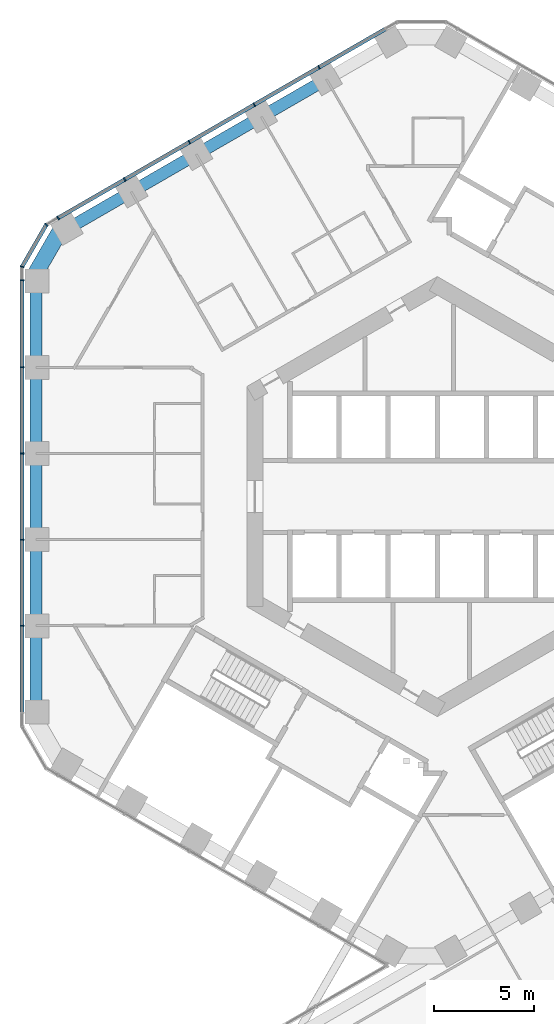
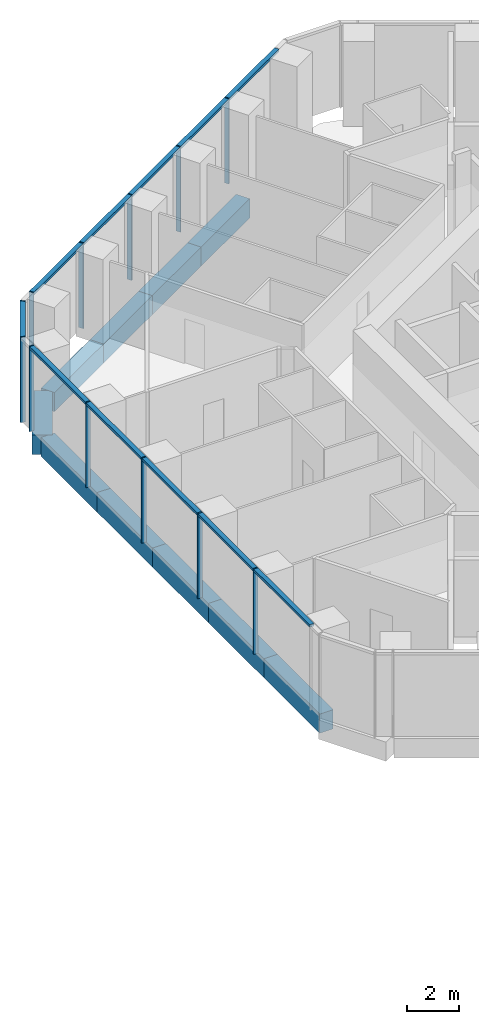
# One storey, part 6 of 27: 15 members, 10 beams, 3 elements without a shape of their own.
"""IFC4 building model written with IfcOpenShell, lengths in metres."""

from ifc_helpers import new_model, si_unit, direction, frame, origin, origin_2d, place, context, subcontext, project, spatial, rectangle, extrude, material, layer, layer_set, material_profile, profile_set, type_object, element, aggregate, save


model = new_model("IFC4")

# Units and contexts
model_context = context("Model", 3, precision=1e-05, world=origin(), true_north=direction((0.0, 1.0)))
body_context = subcontext(model_context, "Body", "Model", "MODEL_VIEW")
ifc_project = project(units=[si_unit("LENGTHUNIT", "METRE"), si_unit("AREAUNIT", "SQUARE_METRE"), si_unit("VOLUMEUNIT", "CUBIC_METRE"), si_unit("PLANEANGLEUNIT", "RADIAN"), si_unit("MASSUNIT", "GRAM", prefix="KILO")], contexts=[model_context])

# Site, building, storey
site_placement = place(None, origin())
site = spatial("IfcSite", under=ifc_project, at=site_placement, CompositionType="ELEMENT")
building_placement = place(site_placement, origin())
building = spatial("IfcBuilding", under=site, at=building_placement, Name="Ayvan Gate Tower", CompositionType="ELEMENT")
storey_placement = place(building_placement, frame((0.0, 0.0, 70.300048828125)))
storey = spatial("IfcBuildingStorey", under=building, at=storey_placement, Name="L18", CompositionType="ELEMENT", Elevation=70.300048828125)

# Beams
ifc_material_1 = material(Name="Concrete C40/50", Category="concrete")
ifc_material_profile_1 = material_profile(ifc_material_1, rectangle(XDim=0.800048828125, YDim=0.89990234375, at=origin_2d()), Name="RC 800x900")
ifc_profile_set_1 = profile_set([ifc_material_profile_1], Name="Concrete C40/50")
beam_type_1 = type_object("IfcBeamType", Name="Corner spandrel beam RC 800x900 C40/50", PredefinedType="BEAM", material=ifc_profile_set_1)
beam_1_placement = place(storey_placement, frame((-18.7080078125, 13.4189453125, -0.85009765625), z_axis=(-0.499990139034, -0.866031096941, 0.0), x_axis=(0.866031096941, -0.499990139034, 0.0)))
element("IfcBeam", 1, at=beam_1_placement, inside=storey, type_object=beam_type_1, Name="SB-L18-18", PredefinedType="BEAM", context=body_context, shape_type="SweptSolid", body=[
    extrude(rectangle(XDim=0.800048828125, YDim=0.89990234375, at=origin_2d()), origin(), (0.0, 0.0, 1.0), 3.0),
])
ifc_material_profile_2 = material_profile(ifc_material_1, rectangle(XDim=0.60009765625, YDim=0.89990234375, at=origin_2d()), Name="RC 600x900")
ifc_profile_set_2 = profile_set([ifc_material_profile_2], Name="Concrete C40/50")
beam_type_2 = type_object("IfcBeamType", Name="Spandrel beam RC 600x900 C40/50", PredefinedType="BEAM", material=ifc_profile_set_2)
for number, where, z_axis, x_axis, name in (
    (2, (-5.517333984375, 20.814697265625, -0.85009765625), (-0.866016580407, -0.500015282227, 0.0), (0.500015282227, -0.866016580407, 0.0), "SB-L18-14"),
    (3, (-8.767333984375, 18.938232421875, -0.85009765625), (-0.866016580407, -0.500015282227, 0.0), (0.500015282227, -0.866016580407, 0.0), "SB-L18-15"),
    (4, (-12.017333984375, 17.061767578125, -0.85009765625), (-0.866016580407, -0.500015282227, 0.0), (0.500015282227, -0.866016580407, 0.0), "SB-L18-16"),
    (5, (-15.267333984375, 15.185302734375, -0.85009765625), (-0.86603284386, -0.49998711319, 0.0), (0.49998711319, -0.86603284386, 0.0), "SB-L18-17"),
):
    element("IfcBeam", number, at=place(storey_placement, frame(where, z_axis=z_axis, x_axis=x_axis)), inside=storey, type_object=beam_type_2, Name=name, PredefinedType="BEAM", context=body_context, shape_type="SweptSolid", body=[
        extrude(rectangle(XDim=0.60009765625, YDim=0.89990234375, at=origin_2d()), origin(), (0.0, 0.0, 1.0), 3.7529296875),
    ])
for number, where, z_axis, x_axis, name in (
    (6, (-20.017578125, 10.7109375, -0.85009765625), (0.0, -1.0, 0.0), (1.0, 0.0, 0.0), "SB-L18-19"),
    (7, (-20.017578125, 6.426513671875, -0.85009765625), (0.0, -1.0, 0.0), (1.0, 0.0, 0.0), "SB-L18-20"),
):
    element("IfcBeam", number, at=place(storey_placement, frame(where, z_axis=z_axis, x_axis=x_axis)), inside=storey, type_object=beam_type_2, Name=name, PredefinedType="BEAM", context=body_context, shape_type="SweptSolid", body=[
        extrude(rectangle(XDim=0.60009765625, YDim=0.89990234375, at=origin_2d()), origin(), (0.0, 0.0, 1.0), 4.284423828125),
    ])
beam_2_placement = place(storey_placement, frame((-20.017578125, 2.14208984375, -0.85009765625), z_axis=(0.0, -1.0, 0.0), x_axis=(1.0, 0.0, 0.0)))
element("IfcBeam", 8, at=beam_2_placement, inside=storey, type_object=beam_type_2, Name="SB-L18-21", PredefinedType="BEAM", context=body_context, shape_type="SweptSolid", body=[
    extrude(rectangle(XDim=0.60009765625, YDim=0.89990234375, at=origin_2d()), origin(), (0.0, 0.0, 1.0), 4.2841796875),
])
for number, where, z_axis, x_axis, name in (
    (9, (-20.017578125, -2.14208984375, -0.85009765625), (0.0, -1.0, 0.0), (1.0, 0.0, 0.0), "SB-L18-22"),
    (10, (-20.017578125, -6.426513671875, -0.85009765625), (0.0, -1.0, 0.0), (1.0, 0.0, 0.0), "SB-L18-23"),
):
    element("IfcBeam", number, at=place(storey_placement, frame(where, z_axis=z_axis, x_axis=x_axis)), inside=storey, type_object=beam_type_2, Name=name, PredefinedType="BEAM", context=body_context, shape_type="SweptSolid", body=[
        extrude(rectangle(XDim=0.60009765625, YDim=0.89990234375, at=origin_2d()), origin(), (0.0, 0.0, 1.0), 4.284423828125),
    ])

# Curtain wall, members
ifc_material_2 = material(Name="Bronze anodised aluminium", Category="aluminium")
ifc_layer_1 = layer(ifc_material_2, 0.199951171875)
ifc_layer_set_1 = layer_set([ifc_layer_1], Name="Bronze anodised aluminium")
curtain_wall_type_1 = type_object("IfcCurtainWallType", Name="Stick curtain wall CW-1", PredefinedType="NOTDEFINED", material=ifc_layer_set_1)
curtain_wall_1_placement = place(storey_placement, origin())
curtain_wall_1 = element("IfcCurtainWall", 11, at=curtain_wall_1_placement, inside=storey, type_object=curtain_wall_type_1, Name="Stick curtain wall CW-1 L18", PredefinedType="NOTDEFINED")
ifc_material_profile_3 = material_profile(ifc_material_2, rectangle(XDim=0.199951171875, YDim=0.06005859375, at=origin_2d()), Name="Stick curtain wall CW-1 mullion 200 x 60")
ifc_profile_set_3 = profile_set([ifc_material_profile_3], Name="Bronze anodised aluminium")
member_type_1 = type_object("IfcMemberType", Name="Stick curtain wall CW-1 mullion 200 x 60", PredefinedType="MULLION", material=ifc_profile_set_3)
member_1_placement = place(storey_placement, frame((-5.896728515625, 21.40380859375, 0.0), z_axis=(0.0, 0.0, 1.0), x_axis=(-0.5, 0.866025403784, 0.0)))
member_1 = element("IfcMember", 12, at=member_1_placement, type_object=member_type_1, Name="CW-1 mullion 2", PredefinedType="MULLION", context=body_context, shape_type="SweptSolid", body=[
    extrude(rectangle(XDim=0.199951171875, YDim=0.06005859375, at=origin_2d()), origin(), (0.0, 0.0, 1.0), 4.0),
])
member_2_placement = place(storey_placement, frame((-9.126953125, 19.538818359375, 0.0), z_axis=(0.0, 0.0, 1.0), x_axis=(-0.5, 0.866025403784, 0.0)))
member_2 = element("IfcMember", 13, at=member_2_placement, type_object=member_type_1, Name="CW-1 mullion 3", PredefinedType="MULLION", context=body_context, shape_type="SweptSolid", body=[
    extrude(rectangle(XDim=0.199951171875, YDim=0.06005859375, at=origin_2d()), origin(), (0.0, 0.0, 1.0), 4.0),
])
member_3_placement = place(storey_placement, frame((-12.357421875, 17.673828125, 0.0), z_axis=(0.0, 0.0, 1.0), x_axis=(-0.5, 0.866025403784, 0.0)))
member_3 = element("IfcMember", 14, at=member_3_placement, type_object=member_type_1, Name="CW-1 mullion 4", PredefinedType="MULLION", context=body_context, shape_type="SweptSolid", body=[
    extrude(rectangle(XDim=0.199951171875, YDim=0.06005859375, at=origin_2d()), origin(), (0.0, 0.0, 1.0), 4.0),
])
member_4_placement = place(storey_placement, frame((-15.587646484375, 15.808837890625, 0.0), z_axis=(0.0, 0.0, 1.0), x_axis=(-0.5, 0.866025403784, 0.0)))
member_4 = element("IfcMember", 15, at=member_4_placement, type_object=member_type_1, Name="CW-1 mullion 5", PredefinedType="MULLION", context=body_context, shape_type="SweptSolid", body=[
    extrude(rectangle(XDim=0.199951171875, YDim=0.06005859375, at=origin_2d()), origin(), (0.0, 0.0, 1.0), 4.0),
])
member_5_placement = place(storey_placement, frame((-18.906494140625, 13.892578125, 0.0), z_axis=(0.0, 0.0, 1.0), x_axis=(-0.5, 0.866025403784, 0.0)))
member_5 = element("IfcMember", 16, at=member_5_placement, type_object=member_type_1, Name="CW-1 mullion 6", PredefinedType="MULLION", context=body_context, shape_type="SweptSolid", body=[
    extrude(rectangle(XDim=0.199951171875, YDim=0.06005859375, at=origin_2d()), origin(), (0.0, 0.0, 1.0), 4.0),
])

curtain_wall_2_placement = place(storey_placement, origin())
curtain_wall_2 = element("IfcCurtainWall", 17, at=curtain_wall_2_placement, inside=storey, type_object=curtain_wall_type_1, Name="Stick curtain wall CW-1 L18", PredefinedType="NOTDEFINED")
member_6_placement = place(storey_placement, frame((-20.70263671875, 10.781494140625, 0.0), z_axis=(0.0, 0.0, 1.0), x_axis=(-1.0, 0.0, 0.0)))
member_6 = element("IfcMember", 18, at=member_6_placement, type_object=member_type_1, Name="CW-1 mullion 1", PredefinedType="MULLION", context=body_context, shape_type="SweptSolid", body=[
    extrude(rectangle(XDim=0.199951171875, YDim=0.06005859375, at=origin_2d()), origin(), (0.0, 0.0, 1.0), 4.0),
])
member_7_placement = place(storey_placement, frame((-20.70263671875, 6.443603515625, 0.0), z_axis=(0.0, 0.0, 1.0), x_axis=(-1.0, 0.0, 0.0)))
member_7 = element("IfcMember", 19, at=member_7_placement, type_object=member_type_1, Name="CW-1 mullion 2", PredefinedType="MULLION", context=body_context, shape_type="SweptSolid", body=[
    extrude(rectangle(XDim=0.199951171875, YDim=0.06005859375, at=origin_2d()), origin(), (0.0, 0.0, 1.0), 4.0),
])
member_8_placement = place(storey_placement, frame((-20.70263671875, 2.147705078125, 0.0), z_axis=(0.0, 0.0, 1.0), x_axis=(-1.0, 0.0, 0.0)))
member_8 = element("IfcMember", 20, at=member_8_placement, type_object=member_type_1, Name="CW-1 mullion 3", PredefinedType="MULLION", context=body_context, shape_type="SweptSolid", body=[
    extrude(rectangle(XDim=0.199951171875, YDim=0.06005859375, at=origin_2d()), origin(), (0.0, 0.0, 1.0), 4.0),
])
member_9_placement = place(storey_placement, frame((-20.70263671875, -2.1484375, 0.0), z_axis=(0.0, 0.0, 1.0), x_axis=(-1.0, 0.0, 0.0)))
member_9 = element("IfcMember", 21, at=member_9_placement, type_object=member_type_1, Name="CW-1 mullion 4", PredefinedType="MULLION", context=body_context, shape_type="SweptSolid", body=[
    extrude(rectangle(XDim=0.199951171875, YDim=0.06005859375, at=origin_2d()), origin(), (0.0, 0.0, 1.0), 4.0),
])
member_10_placement = place(storey_placement, frame((-20.70263671875, -6.443359375, 0.0), z_axis=(0.0, 0.0, 1.0), x_axis=(-1.0, 0.0, 0.0)))
member_10 = element("IfcMember", 22, at=member_10_placement, type_object=member_type_1, Name="CW-1 mullion 5", PredefinedType="MULLION", context=body_context, shape_type="SweptSolid", body=[
    extrude(rectangle(XDim=0.199951171875, YDim=0.06005859375, at=origin_2d()), origin(), (0.0, 0.0, 1.0), 4.0),
])

# Member
ifc_material_profile_4 = material_profile(ifc_material_2, rectangle(XDim=0.199951171875, YDim=0.1201171875, at=origin_2d()), Name="Stick curtain wall CW-1 transom 200 x 120")
ifc_profile_set_4 = profile_set([ifc_material_profile_4], Name="Bronze anodised aluminium")
member_type_2 = type_object("IfcMemberType", Name="Stick curtain wall CW-1 transom 200 x 120", PredefinedType="USERDEFINED", material=ifc_profile_set_4)
member_11_placement = place(storey_placement, frame((-2.578125, 23.31982421875, 3.93994140625), z_axis=(-0.866024076914, -0.5000022982, 0.0), x_axis=(0.5000022982, -0.866024076914, 0.0)))
member_11 = element("IfcMember", 23, at=member_11_placement, type_object=member_type_2, Name="CW-1 transom 1", ObjectType="TRANSOM", PredefinedType="USERDEFINED", context=body_context, shape_type="SweptSolid", body=[
    extrude(rectangle(XDim=0.199951171875, YDim=0.1201171875, at=origin_2d()), origin(), (0.0, 0.0, 1.0), 18.8544921875),
])

aggregate(curtain_wall_1, [member_1, member_2, member_3, member_4, member_5, member_11])

member_12_placement = place(storey_placement, frame((-20.70263671875, 10.781494140625, 3.93994140625), z_axis=(0.0, -1.0, 0.0), x_axis=(1.0, 0.0, 0.0)))
member_12 = element("IfcMember", 24, at=member_12_placement, type_object=member_type_2, Name="CW-1 transom 1", ObjectType="TRANSOM", PredefinedType="USERDEFINED", context=body_context, shape_type="SweptSolid", body=[
    extrude(rectangle(XDim=0.199951171875, YDim=0.1201171875, at=origin_2d()), origin(), (0.0, 0.0, 1.0), 21.56298828125),
])

aggregate(curtain_wall_2, [member_6, member_7, member_8, member_9, member_10, member_12])

# Curtain wall, members
ifc_layer_2 = layer(ifc_material_2, 0.199951171875)
ifc_layer_set_2 = layer_set([ifc_layer_2], Name="Bronze anodised aluminium")
curtain_wall_type_2 = type_object("IfcCurtainWallType", Name="Stick curtain wall CW-6", PredefinedType="NOTDEFINED", material=ifc_layer_set_2)
curtain_wall_3_placement = place(storey_placement, origin())
curtain_wall_3 = element("IfcCurtainWall", 25, at=curtain_wall_3_placement, inside=storey, type_object=curtain_wall_type_2, Name="Stick curtain wall CW-6 L18", PredefinedType="NOTDEFINED")
ifc_material_profile_5 = material_profile(ifc_material_2, rectangle(XDim=0.199951171875, YDim=0.050048828125, at=origin_2d()), Name="Stick curtain wall CW-6 mullion 200 x 50")
ifc_profile_set_5 = profile_set([ifc_material_profile_5], Name="Bronze anodised aluminium")
member_type_3 = type_object("IfcMemberType", Name="Stick curtain wall CW-6 mullion 200 x 50", PredefinedType="MULLION", material=ifc_profile_set_5)
member_13_placement = place(storey_placement, frame((-19.495361328125, 13.552734375, 0.0), z_axis=(0.0, 0.0, 1.0), x_axis=(-0.707106781187, 0.707106781187, 0.0)))
member_13 = element("IfcMember", 26, at=member_13_placement, type_object=member_type_3, Name="CW-6 mullion 2", PredefinedType="MULLION", context=body_context, shape_type="SweptSolid", body=[
    extrude(rectangle(XDim=0.199951171875, YDim=0.050048828125, at=origin_2d()), origin(), (0.0, 0.0, 1.0), 4.0),
])
member_14_placement = place(storey_placement, frame((-20.70263671875, 11.461669921875, 0.0), z_axis=(0.0, 0.0, 1.0), x_axis=(-0.965925826289, 0.258819045103, 0.0)))
member_14 = element("IfcMember", 27, at=member_14_placement, type_object=member_type_3, Name="CW-6 mullion 3", PredefinedType="MULLION", context=body_context, shape_type="SweptSolid", body=[
    extrude(rectangle(XDim=0.199951171875, YDim=0.050048828125, at=origin_2d()), origin(), (0.0, 0.0, 1.0), 4.0),
])
ifc_material_profile_6 = material_profile(ifc_material_2, rectangle(XDim=0.199951171875, YDim=0.1201171875, at=origin_2d()), Name="Stick curtain wall CW-6 transom 200 x 120")
ifc_profile_set_6 = profile_set([ifc_material_profile_6], Name="Bronze anodised aluminium")
member_type_4 = type_object("IfcMemberType", Name="Stick curtain wall CW-6 transom 200 x 120", PredefinedType="USERDEFINED", material=ifc_profile_set_6)
member_15_placement = place(storey_placement, frame((-19.5078125, 13.531005859375, 3.93994140625), z_axis=(-0.500014398087, -0.866017090885, 0.0), x_axis=(0.866017090885, -0.500014398087, 0.0)))
member_15 = element("IfcMember", 28, at=member_15_placement, type_object=member_type_4, Name="CW-6 transom 2", ObjectType="TRANSOM", PredefinedType="USERDEFINED", context=body_context, shape_type="SweptSolid", body=[
    extrude(rectangle(XDim=0.199951171875, YDim=0.1201171875, at=origin_2d()), origin(), (0.0, 0.0, 1.0), 2.36474609375),
])
aggregate(curtain_wall_3, [member_13, member_14, member_15])

save(model, "model.ifc")
